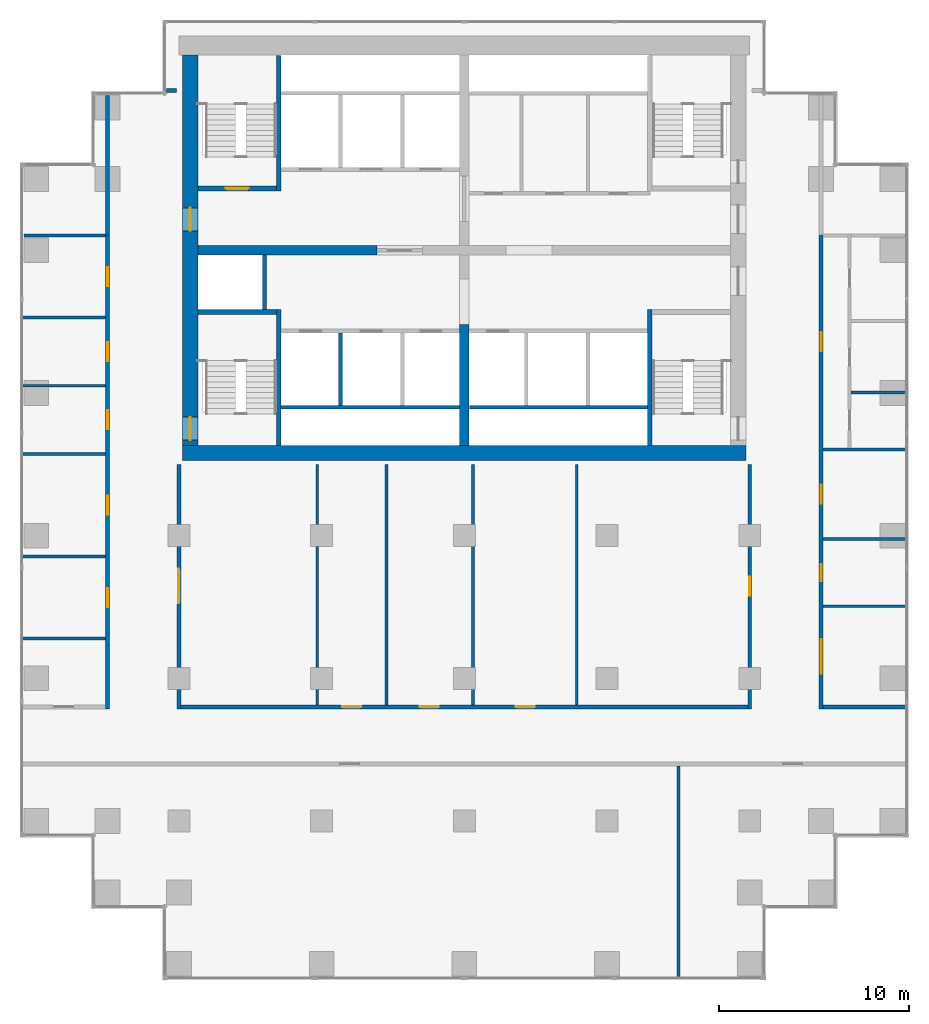
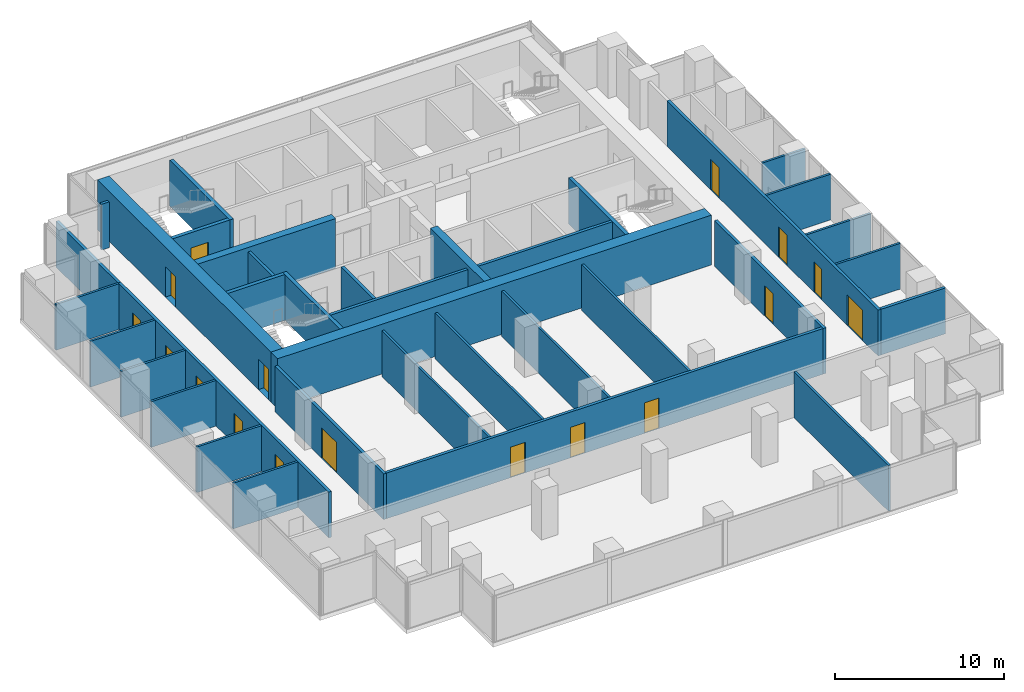
# One storey, part 7 of 10: 36 walls, 17 doors, 17 openings.
"""IFC4 building model written with IfcOpenShell, lengths in metres."""

from ifc_helpers import new_model, si_unit, direction, frame, frame_2d, origin, place, context, subcontext, project, spatial, rectangle, extrude, material, layer, layer_set, type_object, element, fill, save


model = new_model("IFC4")

# Units and contexts
model_context = context("Model", 3, precision=1e-05, world=origin(), true_north=direction((0.0, 1.0)))
body_context = subcontext(model_context, "Body", "Model", "MODEL_VIEW")
ifc_project = project(units=[si_unit("LENGTHUNIT", "METRE"), si_unit("AREAUNIT", "SQUARE_METRE"), si_unit("VOLUMEUNIT", "CUBIC_METRE"), si_unit("PLANEANGLEUNIT", "RADIAN"), si_unit("MASSUNIT", "GRAM", prefix="KILO")], contexts=[model_context])

# Site, building, storey
site_placement = place(None, origin())
site = spatial("IfcSite", under=ifc_project, at=site_placement, CompositionType="ELEMENT")
building_placement = place(site_placement, origin())
building = spatial("IfcBuilding", under=site, at=building_placement, Name="Pilkhan Gate Tower", CompositionType="ELEMENT")
storey_placement = place(building_placement, frame((0.0, 0.0, 132.39990234375)))
storey = spatial("IfcBuildingStorey", under=building, at=storey_placement, Name="L33", CompositionType="ELEMENT", Elevation=132.39990234375)

# Wall
ifc_material_1 = material(Name="Concrete C60/75", Category="concrete")
ifc_layer_1 = layer(ifc_material_1, 0.800048828125)
ifc_layer_set_1 = layer_set([ifc_layer_1], Name="Core wall CW800 C60/75")
wall_type_1 = type_object("IfcWallType", Name="Core wall CW800 C60/75", PredefinedType="SHEAR", material=ifc_layer_set_1)
wall_1_placement = place(storey_placement, frame((60.199951171875, 71.85009765625, 0.0), z_axis=(0.0, 0.0, 1.0), x_axis=(1.0, 0.0, 0.0)))
element("IfcWall", 1, at=wall_1_placement, inside=storey, type_object=wall_type_1, Name="Core wall S L33", PredefinedType="SHEAR", context=body_context, shape_type="SweptSolid", body=[
    extrude(rectangle(XDim=29.60009765625, YDim=0.800048828125, at=frame_2d((14.800048828125, 0.0))), origin(), (0.0, 0.0, 1.0), 3.60009765625),
])

# Wall, openings, doors
wall_2_placement = place(storey_placement, frame((60.60009765625, 92.75, 0.0), z_axis=(0.0, 0.0, 1.0), x_axis=(0.0, -1.0, 0.0)))
wall_2 = element("IfcWall", 2, at=wall_2_placement, inside=storey, type_object=wall_type_1, Name="Core wall W L33", PredefinedType="SHEAR", context=body_context, shape_type="SweptSolid", body=[
    extrude(rectangle(XDim=20.5, YDim=0.800048828125, at=frame_2d((10.25, 0.0))), origin(), (0.0, 0.0, 1.0), 3.60009765625),
])
opening_1_placement = place(wall_2_placement, frame((19.02490234375, 0.0, 0.0)))
opening_1 = element("IfcOpeningElement", 3, at=opening_1_placement, cuts=wall_2, Name="Opening L33-04", PredefinedType="OPENING", context=body_context, shape_type="SweptSolid", body=[
    extrude(rectangle(XDim=1.199951171875, YDim=2.199951171875, at=frame_2d((0.60009765625, 1.10009765625))), frame((0.0, 0.409912109375, 0.0), z_axis=(0.0, -1.0, 0.0), x_axis=(1.0, 0.0, 0.0)), (0.0, 0.0, 1.0), 0.820068359375),
])
opening_2_placement = place(wall_2_placement, frame((8.02490234375, 0.0, 0.0)))
opening_2 = element("IfcOpeningElement", 4, at=opening_2_placement, cuts=wall_2, Name="Opening L33-09", PredefinedType="OPENING", context=body_context, shape_type="SweptSolid", body=[
    extrude(rectangle(XDim=1.199951171875, YDim=2.199951171875, at=frame_2d((0.60009765625, 1.10009765625))), frame((0.0, 0.409912109375, 0.0), z_axis=(0.0, -1.0, 0.0), x_axis=(1.0, 0.0, 0.0)), (0.0, 0.0, 1.0), 0.820068359375),
])
ifc_material_2 = material(Name="Steel door, 120 minute fire resisting, self-closing", Category="steel")
door_type_1 = type_object("IfcDoorType", Name="Firefighting lobby door D10 1200x2200", OperationType="SINGLE_SWING_LEFT", PredefinedType="DOOR", material=ifc_material_2)
door_1_placement = place(opening_2_placement, origin())
door_1 = element("IfcDoor", 5, at=door_1_placement, inside=storey, type_object=door_type_1, Name="Core door", OperationType="SINGLE_SWING_LEFT", OverallHeight=2.199951171875, OverallWidth=1.199951171875, PredefinedType="DOOR", context=body_context, shape_type="SweptSolid", body=[
    extrude(rectangle(XDim=1.199951171875, YDim=2.199951171875, at=frame_2d((0.60009765625, 1.10009765625))), frame((0.0, 0.02490234375, 0.0), z_axis=(0.0, -1.0, 0.0), x_axis=(1.0, 0.0, 0.0)), (0.0, 0.0, 1.0), 0.050048828125),
])
fill(opening_2, door_1)
ifc_material_3 = material(Name="Steel door, 120 minute fire resisting, panic bar", Category="steel")
door_type_2 = type_object("IfcDoorType", Name="Stair door D11 1200x2200", OperationType="SINGLE_SWING_LEFT", PredefinedType="DOOR", material=ifc_material_3)
door_2_placement = place(opening_1_placement, origin())
door_2 = element("IfcDoor", 6, at=door_2_placement, inside=storey, type_object=door_type_2, Name="Stair ST2 door", OperationType="SINGLE_SWING_LEFT", OverallHeight=2.199951171875, OverallWidth=1.199951171875, PredefinedType="DOOR", context=body_context, shape_type="SweptSolid", body=[
    extrude(rectangle(XDim=1.199951171875, YDim=2.199951171875, at=frame_2d((0.60009765625, 1.10009765625))), frame((0.0, 0.02490234375, 0.0), z_axis=(0.0, -1.0, 0.0), x_axis=(1.0, 0.0, 0.0)), (0.0, 0.0, 1.0), 0.050048828125),
])
fill(opening_1, door_2)

ifc_material_4 = material(Name="Dense blockwork", Category="masonry")
ifc_layer_2 = layer(ifc_material_4, 0.199951171875)
ifc_layer_set_2 = layer_set([ifc_layer_2], Name="Corridor wall FW200")
wall_type_2 = type_object("IfcWallType", Name="Corridor wall FW200", PredefinedType="PARTITIONING", material=ifc_layer_set_2)
wall_3_placement = place(storey_placement, frame((60.10009765625, 58.5, 0.0), z_axis=(0.0, 0.0, 1.0), x_axis=(1.0, 0.0, 0.0)))
wall_3 = element("IfcWall", 7, at=wall_3_placement, inside=storey, type_object=wall_type_2, Name="Partition L33", PredefinedType="PARTITIONING", context=body_context, shape_type="SweptSolid", body=[
    extrude(rectangle(XDim=29.7998046875, YDim=0.199951171875, at=frame_2d((14.89990234375, 0.0))), origin(), (0.0, 0.0, 1.0), 3.300048828125),
])
opening_3_placement = place(wall_3_placement, frame((8.472900390625, 0.0, 0.0)))
opening_3 = element("IfcOpeningElement", 8, at=opening_3_placement, cuts=wall_3, Name="Opening L33-07", PredefinedType="OPENING", context=body_context, shape_type="SweptSolid", body=[
    extrude(rectangle(XDim=1.0, YDim=2.199951171875, at=frame_2d((0.5, 1.10009765625))), frame((0.0, 0.10986328125, 0.0), z_axis=(0.0, -1.0, 0.0), x_axis=(1.0, 0.0, 0.0)), (0.0, 0.0, 1.0), 0.219970703125),
])
opening_4_placement = place(wall_3_placement, frame((12.55908203125, 0.0, 0.0)))
opening_4 = element("IfcOpeningElement", 9, at=opening_4_placement, cuts=wall_3, Name="Opening L33-29", PredefinedType="OPENING", context=body_context, shape_type="SweptSolid", body=[
    extrude(rectangle(XDim=1.0, YDim=2.199951171875, at=frame_2d((0.5, 1.10009765625))), frame((0.0, 0.10986328125, 0.0), z_axis=(0.0, -1.0, 0.0), x_axis=(1.0, 0.0, 0.0)), (0.0, 0.0, 1.0), 0.219970703125),
])
opening_5_placement = place(wall_3_placement, frame((17.60498046875, 0.0, 0.0)))
opening_5 = element("IfcOpeningElement", 10, at=opening_5_placement, cuts=wall_3, Name="Opening L33-30", PredefinedType="OPENING", context=body_context, shape_type="SweptSolid", body=[
    extrude(rectangle(XDim=1.0, YDim=2.199951171875, at=frame_2d((0.5, 1.10009765625))), frame((0.0, 0.10986328125, 0.0), z_axis=(0.0, -1.0, 0.0), x_axis=(1.0, 0.0, 0.0)), (0.0, 0.0, 1.0), 0.219970703125),
])
ifc_material_5 = material(Name="Timber flush door, 30 minute fire resisting", Category="wood")
door_type_3 = type_object("IfcDoorType", Name="Room door D03 1000x2200", OperationType="SINGLE_SWING_LEFT", PredefinedType="DOOR", material=ifc_material_5)
door_3_placement = place(opening_3_placement, origin())
door_3 = element("IfcDoor", 11, at=door_3_placement, inside=storey, type_object=door_type_3, Name="Room door", OperationType="SINGLE_SWING_RIGHT", OverallHeight=2.199951171875, OverallWidth=1.0, PredefinedType="DOOR", context=body_context, shape_type="SweptSolid", body=[
    extrude(rectangle(XDim=1.0, YDim=2.199951171875, at=frame_2d((0.5, 1.10009765625))), frame((0.0, 0.02490234375, 0.0), z_axis=(0.0, -1.0, 0.0), x_axis=(1.0, 0.0, 0.0)), (0.0, 0.0, 1.0), 0.050048828125),
])
fill(opening_3, door_3)
door_4_placement = place(opening_4_placement, origin())
door_4 = element("IfcDoor", 12, at=door_4_placement, inside=storey, type_object=door_type_3, Name="Room door", OperationType="SINGLE_SWING_RIGHT", OverallHeight=2.199951171875, OverallWidth=1.0, PredefinedType="DOOR", context=body_context, shape_type="SweptSolid", body=[
    extrude(rectangle(XDim=1.0, YDim=2.199951171875, at=frame_2d((0.5, 1.10009765625))), frame((0.0, 0.02490234375, 0.0), z_axis=(0.0, -1.0, 0.0), x_axis=(1.0, 0.0, 0.0)), (0.0, 0.0, 1.0), 0.050048828125),
])
fill(opening_4, door_4)
door_5_placement = place(opening_5_placement, origin())
door_5 = element("IfcDoor", 13, at=door_5_placement, inside=storey, type_object=door_type_3, Name="Room door", OperationType="SINGLE_SWING_LEFT", OverallHeight=2.199951171875, OverallWidth=1.0, PredefinedType="DOOR", context=body_context, shape_type="SweptSolid", body=[
    extrude(rectangle(XDim=1.0, YDim=2.199951171875, at=frame_2d((0.5, 1.10009765625))), frame((0.0, 0.02490234375, 0.0), z_axis=(0.0, -1.0, 0.0), x_axis=(1.0, 0.0, 0.0)), (0.0, 0.0, 1.0), 0.050048828125),
])
fill(opening_5, door_5)

# Walls
wall_4_placement = place(storey_placement, frame((93.85009765625, 58.5, 0.0), z_axis=(0.0, 0.0, 1.0), x_axis=(1.0, 0.0, 0.0)))
element("IfcWall", 14, at=wall_4_placement, inside=storey, type_object=wall_type_2, Name="Partition L33", PredefinedType="PARTITIONING", context=body_context, shape_type="SweptSolid", body=[
    extrude(rectangle(XDim=4.414794921875, YDim=0.199951171875, at=frame_2d((2.20751953125, 0.0))), origin(), (0.0, 0.0, 1.0), 3.300048828125),
])
wall_5_placement = place(storey_placement, frame((59.35498046875, 90.89990234375, 0.0), z_axis=(0.0, 0.0, 1.0), x_axis=(1.0, 0.0, 0.0)))
element("IfcWall", 15, at=wall_5_placement, inside=storey, type_object=wall_type_2, Name="Partition L33", PredefinedType="PARTITIONING", context=body_context, shape_type="SweptSolid", body=[
    extrude(rectangle(XDim=0.52490234375, YDim=0.199951171875, at=frame_2d((0.262451171875, 0.0))), origin(), (0.0, 0.0, 1.0), 3.300048828125),
])

# Wall, openings, doors
wall_6_placement = place(storey_placement, frame((56.25, 58.39990234375, 0.0), z_axis=(0.0, 0.0, 1.0), x_axis=(0.0, 1.0, 0.0)))
wall_6 = element("IfcWall", 16, at=wall_6_placement, inside=storey, type_object=wall_type_2, Name="Partition L33", PredefinedType="PARTITIONING", context=body_context, shape_type="SweptSolid", body=[
    extrude(rectangle(XDim=24.955078125, YDim=0.199951171875, at=frame_2d((12.4775390625, 0.0))), origin(), (0.0, 0.0, 1.0), 3.300048828125),
])
opening_6_placement = place(wall_6_placement, frame((5.341064453125, 0.0, 0.0)))
opening_6 = element("IfcOpeningElement", 17, at=opening_6_placement, cuts=wall_6, Name="Opening L33-17", PredefinedType="OPENING", context=body_context, shape_type="SweptSolid", body=[
    extrude(rectangle(XDim=1.0, YDim=2.199951171875, at=frame_2d((0.5, 1.10009765625))), frame((0.0, 0.10986328125, 0.0), z_axis=(0.0, -1.0, 0.0), x_axis=(1.0, 0.0, 0.0)), (0.0, 0.0, 1.0), 0.219970703125),
])
opening_7_placement = place(wall_6_placement, frame((10.200927734375, 0.0, 0.0)))
opening_7 = element("IfcOpeningElement", 18, at=opening_7_placement, cuts=wall_6, Name="Opening L33-18", PredefinedType="OPENING", context=body_context, shape_type="SweptSolid", body=[
    extrude(rectangle(XDim=1.0, YDim=2.199951171875, at=frame_2d((0.5, 1.10009765625))), frame((0.0, 0.10986328125, 0.0), z_axis=(0.0, -1.0, 0.0), x_axis=(1.0, 0.0, 0.0)), (0.0, 0.0, 1.0), 0.219970703125),
])
opening_8_placement = place(wall_6_placement, frame((14.68798828125, 0.0, 0.0)))
opening_8 = element("IfcOpeningElement", 19, at=opening_8_placement, cuts=wall_6, Name="Opening L33-19", PredefinedType="OPENING", context=body_context, shape_type="SweptSolid", body=[
    extrude(rectangle(XDim=1.0, YDim=2.199951171875, at=frame_2d((0.5, 1.10009765625))), frame((0.0, 0.10986328125, 0.0), z_axis=(0.0, -1.0, 0.0), x_axis=(1.0, 0.0, 0.0)), (0.0, 0.0, 1.0), 0.219970703125),
])
opening_9_placement = place(wall_6_placement, frame((18.279052734375, 0.0, 0.0)))
opening_9 = element("IfcOpeningElement", 20, at=opening_9_placement, cuts=wall_6, Name="Opening L33-20", PredefinedType="OPENING", context=body_context, shape_type="SweptSolid", body=[
    extrude(rectangle(XDim=1.0, YDim=2.199951171875, at=frame_2d((0.5, 1.10009765625))), frame((0.0, 0.10986328125, 0.0), z_axis=(0.0, -1.0, 0.0), x_axis=(1.0, 0.0, 0.0)), (0.0, 0.0, 1.0), 0.219970703125),
])
opening_10_placement = place(wall_6_placement, frame((22.219970703125, 0.0, 0.0)))
opening_10 = element("IfcOpeningElement", 21, at=opening_10_placement, cuts=wall_6, Name="Opening L33-21", PredefinedType="OPENING", context=body_context, shape_type="SweptSolid", body=[
    extrude(rectangle(XDim=1.0, YDim=2.199951171875, at=frame_2d((0.5, 1.10009765625))), frame((0.0, 0.10986328125, 0.0), z_axis=(0.0, -1.0, 0.0), x_axis=(1.0, 0.0, 0.0)), (0.0, 0.0, 1.0), 0.219970703125),
])
door_6_placement = place(opening_6_placement, origin())
door_6 = element("IfcDoor", 22, at=door_6_placement, inside=storey, type_object=door_type_3, Name="Room door", OperationType="SINGLE_SWING_LEFT", OverallHeight=2.199951171875, OverallWidth=1.0, PredefinedType="DOOR", context=body_context, shape_type="SweptSolid", body=[
    extrude(rectangle(XDim=1.0, YDim=2.199951171875, at=frame_2d((0.5, 1.10009765625))), frame((0.0, 0.02490234375, 0.0), z_axis=(0.0, -1.0, 0.0), x_axis=(1.0, 0.0, 0.0)), (0.0, 0.0, 1.0), 0.050048828125),
])
fill(opening_6, door_6)
door_7_placement = place(opening_7_placement, origin())
door_7 = element("IfcDoor", 23, at=door_7_placement, inside=storey, type_object=door_type_3, Name="Room door", OperationType="SINGLE_SWING_RIGHT", OverallHeight=2.199951171875, OverallWidth=1.0, PredefinedType="DOOR", context=body_context, shape_type="SweptSolid", body=[
    extrude(rectangle(XDim=1.0, YDim=2.199951171875, at=frame_2d((0.5, 1.10009765625))), frame((0.0, 0.02490234375, 0.0), z_axis=(0.0, -1.0, 0.0), x_axis=(1.0, 0.0, 0.0)), (0.0, 0.0, 1.0), 0.050048828125),
])
fill(opening_7, door_7)
door_8_placement = place(opening_8_placement, origin())
door_8 = element("IfcDoor", 24, at=door_8_placement, inside=storey, type_object=door_type_3, Name="Room door", OperationType="SINGLE_SWING_RIGHT", OverallHeight=2.199951171875, OverallWidth=1.0, PredefinedType="DOOR", context=body_context, shape_type="SweptSolid", body=[
    extrude(rectangle(XDim=1.0, YDim=2.199951171875, at=frame_2d((0.5, 1.10009765625))), frame((0.0, 0.02490234375, 0.0), z_axis=(0.0, -1.0, 0.0), x_axis=(1.0, 0.0, 0.0)), (0.0, 0.0, 1.0), 0.050048828125),
])
fill(opening_8, door_8)
door_9_placement = place(opening_9_placement, origin())
door_9 = element("IfcDoor", 25, at=door_9_placement, inside=storey, type_object=door_type_3, Name="Room door", OperationType="SINGLE_SWING_LEFT", OverallHeight=2.199951171875, OverallWidth=1.0, PredefinedType="DOOR", context=body_context, shape_type="SweptSolid", body=[
    extrude(rectangle(XDim=1.0, YDim=2.199951171875, at=frame_2d((0.5, 1.10009765625))), frame((0.0, 0.02490234375, 0.0), z_axis=(0.0, -1.0, 0.0), x_axis=(1.0, 0.0, 0.0)), (0.0, 0.0, 1.0), 0.050048828125),
])
fill(opening_9, door_9)
door_10_placement = place(opening_10_placement, origin())
door_10 = element("IfcDoor", 26, at=door_10_placement, inside=storey, type_object=door_type_3, Name="Room door", OperationType="SINGLE_SWING_LEFT", OverallHeight=2.199951171875, OverallWidth=1.0, PredefinedType="DOOR", context=body_context, shape_type="SweptSolid", body=[
    extrude(rectangle(XDim=1.0, YDim=2.199951171875, at=frame_2d((0.5, 1.10009765625))), frame((0.0, 0.02490234375, 0.0), z_axis=(0.0, -1.0, 0.0), x_axis=(1.0, 0.0, 0.0)), (0.0, 0.0, 1.0), 0.050048828125),
])
fill(opening_10, door_10)

# Wall
wall_7_placement = place(storey_placement, frame((56.25, 83.31005859375, 0.0), z_axis=(0.0, 0.0, 1.0), x_axis=(0.0, 1.0, 0.0)))
element("IfcWall", 27, at=wall_7_placement, inside=storey, type_object=wall_type_2, Name="Partition L33", PredefinedType="PARTITIONING", context=body_context, shape_type="SweptSolid", body=[
    extrude(rectangle(XDim=7.3349609375, YDim=0.199951171875, at=frame_2d((3.66748046875, 0.0))), origin(), (0.0, 0.0, 1.0), 3.300048828125),
])

# Wall, opening, door
wall_8_placement = place(storey_placement, frame((60.0, 58.39990234375, 0.0), z_axis=(0.0, 0.0, 1.0), x_axis=(0.0, 1.0, 0.0)))
wall_8 = element("IfcWall", 28, at=wall_8_placement, inside=storey, type_object=wall_type_2, Name="Partition L33", PredefinedType="PARTITIONING", context=body_context, shape_type="SweptSolid", body=[
    extrude(rectangle(XDim=12.85009765625, YDim=0.199951171875, at=frame_2d((6.425048828125, 0.0))), origin(), (0.0, 0.0, 1.0), 3.300048828125),
])
opening_11_placement = place(wall_8_placement, frame((5.550048828125, 0.0, 0.0)))
opening_11 = element("IfcOpeningElement", 29, at=opening_11_placement, cuts=wall_8, Name="Opening L33-28", PredefinedType="OPENING", context=body_context, shape_type="SweptSolid", body=[
    extrude(rectangle(XDim=1.800048828125, YDim=2.199951171875, at=frame_2d((0.89990234375, 1.10009765625))), frame((0.0, 0.10986328125, 0.0), z_axis=(0.0, -1.0, 0.0), x_axis=(1.0, 0.0, 0.0)), (0.0, 0.0, 1.0), 0.219970703125),
])
ifc_material_6 = material(Name="Timber glazed double door, 30 minute fire resisting", Category="wood")
door_type_4 = type_object("IfcDoorType", Name="Double door D04 1800x2200", OperationType="DOUBLE_DOOR_SINGLE_SWING", PredefinedType="DOOR", material=ifc_material_6)
door_11_placement = place(opening_11_placement, origin())
door_11 = element("IfcDoor", 30, at=door_11_placement, inside=storey, type_object=door_type_4, Name="Double door", OperationType="DOUBLE_DOOR_SINGLE_SWING", OverallHeight=2.199951171875, OverallWidth=1.800048828125, PredefinedType="DOOR", context=body_context, shape_type="SweptSolid", body=[
    extrude(rectangle(XDim=1.800048828125, YDim=2.199951171875, at=frame_2d((0.89990234375, 1.10009765625))), frame((0.0, 0.02490234375, 0.0), z_axis=(0.0, -1.0, 0.0), x_axis=(1.0, 0.0, 0.0)), (0.0, 0.0, 1.0), 0.050048828125),
])
fill(opening_11, door_11)

wall_9_placement = place(storey_placement, frame((90.0, 58.39990234375, 0.0), z_axis=(0.0, 0.0, 1.0), x_axis=(0.0, 1.0, 0.0)))
wall_9 = element("IfcWall", 31, at=wall_9_placement, inside=storey, type_object=wall_type_2, Name="Partition L33", PredefinedType="PARTITIONING", context=body_context, shape_type="SweptSolid", body=[
    extrude(rectangle(XDim=12.85009765625, YDim=0.199951171875, at=frame_2d((6.425048828125, 0.0))), origin(), (0.0, 0.0, 1.0), 3.300048828125),
])
opening_12_placement = place(wall_9_placement, frame((5.949951171875, 0.0, 0.0)))
opening_12 = element("IfcOpeningElement", 32, at=opening_12_placement, cuts=wall_9, Name="Opening L33-31", PredefinedType="OPENING", context=body_context, shape_type="SweptSolid", body=[
    extrude(rectangle(XDim=1.0, YDim=2.199951171875, at=frame_2d((0.5, 1.10009765625))), frame((0.0, 0.10986328125, 0.0), z_axis=(0.0, -1.0, 0.0), x_axis=(1.0, 0.0, 0.0)), (0.0, 0.0, 1.0), 0.219970703125),
])
door_12_placement = place(opening_12_placement, origin())
door_12 = element("IfcDoor", 33, at=door_12_placement, inside=storey, type_object=door_type_3, Name="Room door", OperationType="SINGLE_SWING_RIGHT", OverallHeight=2.199951171875, OverallWidth=1.0, PredefinedType="DOOR", context=body_context, shape_type="SweptSolid", body=[
    extrude(rectangle(XDim=1.0, YDim=2.199951171875, at=frame_2d((0.5, 1.10009765625))), frame((0.0, 0.02490234375, 0.0), z_axis=(0.0, -1.0, 0.0), x_axis=(1.0, 0.0, 0.0)), (0.0, 0.0, 1.0), 0.050048828125),
])
fill(opening_12, door_12)

# Wall, openings, doors
wall_10_placement = place(storey_placement, frame((93.75, 58.39990234375, 0.0), z_axis=(0.0, 0.0, 1.0), x_axis=(0.0, 1.0, 0.0)))
wall_10 = element("IfcWall", 34, at=wall_10_placement, inside=storey, type_object=wall_type_2, Name="Partition L33", PredefinedType="PARTITIONING", context=body_context, shape_type="SweptSolid", body=[
    extrude(rectangle(XDim=24.955078125, YDim=0.199951171875, at=frame_2d((12.4775390625, 0.0))), origin(), (0.0, 0.0, 1.0), 3.300048828125),
])
opening_13_placement = place(wall_10_placement, frame((18.780029296875, 0.0, 0.0)))
opening_13 = element("IfcOpeningElement", 35, at=opening_13_placement, cuts=wall_10, Name="Opening L33-06", PredefinedType="OPENING", context=body_context, shape_type="SweptSolid", body=[
    extrude(rectangle(XDim=1.0, YDim=2.199951171875, at=frame_2d((0.5, 1.10009765625))), frame((0.0, 0.10986328125, 0.0), z_axis=(0.0, -1.0, 0.0), x_axis=(1.0, 0.0, 0.0)), (0.0, 0.0, 1.0), 0.219970703125),
])
opening_14_placement = place(wall_10_placement, frame((1.85009765625, 0.0, 0.0)))
opening_14 = element("IfcOpeningElement", 36, at=opening_14_placement, cuts=wall_10, Name="Opening L33-25", PredefinedType="OPENING", context=body_context, shape_type="SweptSolid", body=[
    extrude(rectangle(XDim=1.800048828125, YDim=2.199951171875, at=frame_2d((0.89990234375, 1.10009765625))), frame((0.0, 0.10986328125, 0.0), z_axis=(0.0, -1.0, 0.0), x_axis=(1.0, 0.0, 0.0)), (0.0, 0.0, 1.0), 0.219970703125),
])
opening_15_placement = place(wall_10_placement, frame((6.694091796875, 0.0, 0.0)))
opening_15 = element("IfcOpeningElement", 37, at=opening_15_placement, cuts=wall_10, Name="Opening L33-26", PredefinedType="OPENING", context=body_context, shape_type="SweptSolid", body=[
    extrude(rectangle(XDim=0.89990234375, YDim=2.199951171875, at=frame_2d((0.449951171875, 1.10009765625))), frame((0.0, 0.10986328125, 0.0), z_axis=(0.0, -1.0, 0.0), x_axis=(1.0, 0.0, 0.0)), (0.0, 0.0, 1.0), 0.219970703125),
])
opening_16_placement = place(wall_10_placement, frame((10.77392578125, 0.0, 0.0)))
opening_16 = element("IfcOpeningElement", 38, at=opening_16_placement, cuts=wall_10, Name="Opening L33-27", PredefinedType="OPENING", context=body_context, shape_type="SweptSolid", body=[
    extrude(rectangle(XDim=1.0, YDim=2.199951171875, at=frame_2d((0.5, 1.10009765625))), frame((0.0, 0.10986328125, 0.0), z_axis=(0.0, -1.0, 0.0), x_axis=(1.0, 0.0, 0.0)), (0.0, 0.0, 1.0), 0.219970703125),
])
door_13_placement = place(opening_14_placement, origin())
door_13 = element("IfcDoor", 39, at=door_13_placement, inside=storey, type_object=door_type_4, Name="Double door", OperationType="DOUBLE_DOOR_SINGLE_SWING", OverallHeight=2.199951171875, OverallWidth=1.800048828125, PredefinedType="DOOR", context=body_context, shape_type="SweptSolid", body=[
    extrude(rectangle(XDim=1.800048828125, YDim=2.199951171875, at=frame_2d((0.89990234375, 1.10009765625))), frame((0.0, 0.02490234375, 0.0), z_axis=(0.0, -1.0, 0.0), x_axis=(1.0, 0.0, 0.0)), (0.0, 0.0, 1.0), 0.050048828125),
])
fill(opening_14, door_13)
door_14_placement = place(opening_13_placement, origin())
door_14 = element("IfcDoor", 40, at=door_14_placement, inside=storey, type_object=door_type_3, Name="Toilet lobby door", OperationType="SINGLE_SWING_LEFT", OverallHeight=2.199951171875, OverallWidth=1.0, PredefinedType="DOOR", context=body_context, shape_type="SweptSolid", body=[
    extrude(rectangle(XDim=1.0, YDim=2.199951171875, at=frame_2d((0.5, 1.10009765625))), frame((0.0, 0.02490234375, 0.0), z_axis=(0.0, -1.0, 0.0), x_axis=(1.0, 0.0, 0.0)), (0.0, 0.0, 1.0), 0.050048828125),
])
fill(opening_13, door_14)
door_15_placement = place(opening_16_placement, origin())
door_15 = element("IfcDoor", 41, at=door_15_placement, inside=storey, type_object=door_type_3, Name="Room door", OperationType="SINGLE_SWING_RIGHT", OverallHeight=2.199951171875, OverallWidth=1.0, PredefinedType="DOOR", context=body_context, shape_type="SweptSolid", body=[
    extrude(rectangle(XDim=1.0, YDim=2.199951171875, at=frame_2d((0.5, 1.10009765625))), frame((0.0, 0.02490234375, 0.0), z_axis=(0.0, -1.0, 0.0), x_axis=(1.0, 0.0, 0.0)), (0.0, 0.0, 1.0), 0.050048828125),
])
fill(opening_16, door_15)
ifc_material_7 = material(Name="Timber flush door, 60 minute fire resisting, self-closing", Category="wood")
door_type_5 = type_object("IfcDoorType", Name="Store door D05 900x2200", OperationType="SINGLE_SWING_LEFT", PredefinedType="DOOR", material=ifc_material_7)
door_16_placement = place(opening_15_placement, origin())
door_16 = element("IfcDoor", 42, at=door_16_placement, inside=storey, type_object=door_type_5, Name="Store door", OperationType="SINGLE_SWING_LEFT", OverallHeight=2.199951171875, OverallWidth=0.89990234375, PredefinedType="DOOR", context=body_context, shape_type="SweptSolid", body=[
    extrude(rectangle(XDim=0.89990234375, YDim=2.199951171875, at=frame_2d((0.449951171875, 1.10009765625))), frame((0.0, 0.02490234375, 0.0), z_axis=(0.0, -1.0, 0.0), x_axis=(1.0, 0.0, 0.0)), (0.0, 0.0, 1.0), 0.050048828125),
])
fill(opening_15, door_16)

# Walls
ifc_material_8 = material(Name="Blockwork partition, plastered both sides", Category="masonry")
ifc_layer_3 = layer(ifc_material_8, 0.14990234375)
ifc_layer_set_3 = layer_set([ifc_layer_3], Name="Partition PW150")
wall_type_3 = type_object("IfcWallType", Name="Partition PW150", PredefinedType="PARTITIONING", material=ifc_layer_set_3)
for number, where, z_axis, x_axis, name in (
    (43, (51.735107421875, 62.091064453125, 0.0), (0.0, 0.0, 1.0), (1.0, 0.0, 0.0), "Partition L33"),
    (44, (93.85009765625, 63.7939453125, 0.0), (0.0, 0.0, 1.0), (1.0, 0.0, 0.0), "Partition L33"),
    (45, (51.735107421875, 66.40087890625, 0.0), (0.0, 0.0, 1.0), (1.0, 0.0, 0.0), "Partition L33"),
    (46, (93.85009765625, 67.323974609375, 0.0), (0.0, 0.0, 1.0), (1.0, 0.0, 0.0), "Partition L33"),
    (47, (51.735107421875, 71.7880859375, 0.0), (0.0, 0.0, 1.0), (1.0, 0.0, 0.0), "Partition L33"),
    (48, (93.85009765625, 72.030029296875, 0.0), (0.0, 0.0, 1.0), (1.0, 0.0, 0.0), "Partition L33"),
):
    element("IfcWall", number, at=place(storey_placement, frame(where, z_axis=z_axis, x_axis=x_axis)), inside=storey, type_object=wall_type_3, Name=name, PredefinedType="PARTITIONING", context=body_context, shape_type="SweptSolid", body=[
        extrude(rectangle(XDim=4.414794921875, YDim=0.14990234375, at=frame_2d((2.20751953125, 0.0))), origin(), (0.0, 0.0, 1.0), 3.300048828125),
    ])
wall_11_placement = place(storey_placement, frame((95.324951171875, 75.030029296875, 0.0), z_axis=(0.0, 0.0, 1.0), x_axis=(1.0, 0.0, 0.0)))
element("IfcWall", 49, at=wall_11_placement, inside=storey, type_object=wall_type_3, Name="Partition L33", PredefinedType="PARTITIONING", context=body_context, shape_type="SweptSolid", body=[
    extrude(rectangle(XDim=2.93994140625, YDim=0.14990234375, at=frame_2d((1.469970703125, 0.0))), origin(), (0.0, 0.0, 1.0), 3.300048828125),
])
for number, where, z_axis, x_axis, name in (
    (50, (51.735107421875, 75.37890625, 0.0), (0.0, 0.0, 1.0), (1.0, 0.0, 0.0), "Partition L33"),
    (51, (51.735107421875, 78.969970703125, 0.0), (0.0, 0.0, 1.0), (1.0, 0.0, 0.0), "Partition L33"),
):
    element("IfcWall", number, at=place(storey_placement, frame(where, z_axis=z_axis, x_axis=x_axis)), inside=storey, type_object=wall_type_3, Name=name, PredefinedType="PARTITIONING", context=body_context, shape_type="SweptSolid", body=[
        extrude(rectangle(XDim=4.414794921875, YDim=0.14990234375, at=frame_2d((2.20751953125, 0.0))), origin(), (0.0, 0.0, 1.0), 3.300048828125),
    ])
wall_12_placement = place(storey_placement, frame((51.85498046875, 83.280029296875, 0.0), z_axis=(0.0, 0.0, 1.0), x_axis=(1.0, 0.0, 0.0)))
element("IfcWall", 52, at=wall_12_placement, inside=storey, type_object=wall_type_3, Name="Partition L33", PredefinedType="PARTITIONING", context=body_context, shape_type="SweptSolid", body=[
    extrude(rectangle(XDim=4.294921875, YDim=0.14990234375, at=frame_2d((2.1474609375, 0.0))), origin(), (0.0, 0.0, 1.0), 3.300048828125),
])
for number, where, z_axis, x_axis, name in (
    (53, (67.27294921875, 58.60009765625, 0.0), (0.0, 0.0, 1.0), (0.0, 1.0, 0.0), "Partition L33"),
    (54, (70.908935546875, 58.60009765625, 0.0), (0.0, 0.0, 1.0), (0.0, 1.0, 0.0), "Partition L33"),
    (55, (75.455078125, 58.60009765625, 0.0), (0.0, 0.0, 1.0), (0.0, 1.0, 0.0), "Partition L33"),
    (56, (80.908935546875, 58.60009765625, 0.0), (0.0, 0.0, 1.0), (0.0, 1.0, 0.0), "Partition L33"),
):
    element("IfcWall", number, at=place(storey_placement, frame(where, z_axis=z_axis, x_axis=x_axis)), inside=storey, type_object=wall_type_3, Name=name, PredefinedType="PARTITIONING", context=body_context, shape_type="SweptSolid", body=[
        extrude(rectangle(XDim=12.64990234375, YDim=0.14990234375, at=frame_2d((6.324951171875, 0.0))), origin(), (0.0, 0.0, 1.0), 3.300048828125),
    ])
wall_13_placement = place(storey_placement, frame((86.25, 44.235107421875, 0.0), z_axis=(0.0, 0.0, 1.0), x_axis=(0.0, 1.0, 0.0)))
element("IfcWall", 57, at=wall_13_placement, inside=storey, type_object=wall_type_3, Name="Partition L33", PredefinedType="PARTITIONING", context=body_context, shape_type="SweptSolid", body=[
    extrude(rectangle(XDim=11.164794921875, YDim=0.14990234375, at=frame_2d((5.58251953125, 0.0))), origin(), (0.0, 0.0, 1.0), 3.300048828125),
])
ifc_material_9 = material(Name="Reinforced blockwork shaft wall, 120 minute fire resisting", Category="masonry")
ifc_layer_4 = layer(ifc_material_9, 0.199951171875)
ifc_layer_set_4 = layer_set([ifc_layer_4], Name="Shaft wall SW200")
wall_type_4 = type_object("IfcWallType", Name="Shaft wall SW200", PredefinedType="PARTITIONING", material=ifc_layer_set_4)
for number, where, z_axis, x_axis, name in (
    (58, (65.375, 74.25, 0.0), (0.0, 0.0, 1.0), (1.0, 0.0, 0.0), "Partition L33"),
    (59, (75.260009765625, 74.25, 0.0), (0.0, 0.0, 1.0), (1.0, 0.0, 0.0), "Partition L33"),
):
    element("IfcWall", number, at=place(storey_placement, frame(where, z_axis=z_axis, x_axis=x_axis)), inside=storey, type_object=wall_type_4, Name=name, PredefinedType="PARTITIONING", context=body_context, shape_type="SweptSolid", body=[
        extrude(rectangle(XDim=9.364990234375, YDim=0.199951171875, at=frame_2d((4.6826171875, 0.0))), origin(), (0.0, 0.0, 1.0), 3.300048828125),
    ])
wall_14_placement = place(storey_placement, frame((64.5, 79.375, 0.0), z_axis=(0.0, 0.0, 1.0), x_axis=(0.0, 1.0, 0.0)))
element("IfcWall", 60, at=wall_14_placement, inside=storey, type_object=wall_type_4, Name="Partition L33", PredefinedType="PARTITIONING", context=body_context, shape_type="SweptSolid", body=[
    extrude(rectangle(XDim=2.864990234375, YDim=0.199951171875, at=frame_2d((1.4326171875, 0.0))), origin(), (0.0, 0.0, 1.0), 3.300048828125),
])
wall_15_placement = place(storey_placement, frame((68.5, 74.35009765625, 0.0), z_axis=(0.0, 0.0, 1.0), x_axis=(0.0, 1.0, 0.0)))
element("IfcWall", 61, at=wall_15_placement, inside=storey, type_object=wall_type_4, Name="Partition L33", PredefinedType="PARTITIONING", context=body_context, shape_type="SweptSolid", body=[
    extrude(rectangle(XDim=3.7998046875, YDim=0.199951171875, at=frame_2d((1.89990234375, 0.0))), origin(), (0.0, 0.0, 1.0), 3.300048828125),
])
ifc_layer_5 = layer(ifc_material_1, 0.5)
ifc_layer_set_5 = layer_set([ifc_layer_5], Name="Spine wall SW500 C60/75")
wall_type_5 = type_object("IfcWallType", Name="Spine wall SW500 C60/75", PredefinedType="SHEAR", material=ifc_layer_set_5)
wall_16_placement = place(storey_placement, frame((61.0, 82.5, 0.0), z_axis=(0.0, 0.0, 1.0), x_axis=(1.0, 0.0, 0.0)))
element("IfcWall", 62, at=wall_16_placement, inside=storey, type_object=wall_type_5, Name="Spine wall SP-EW1 L33", PredefinedType="SHEAR", context=body_context, shape_type="SweptSolid", body=[
    extrude(rectangle(XDim=9.39990234375, YDim=0.5, at=frame_2d((4.699951171875, 0.0))), origin(), (0.0, 0.0, 1.0), 3.60009765625),
])
wall_17_placement = place(storey_placement, frame((75.0, 72.25, 0.0), z_axis=(0.0, 0.0, 1.0), x_axis=(0.0, 1.0, 0.0)))
element("IfcWall", 63, at=wall_17_placement, inside=storey, type_object=wall_type_5, Name="Spine wall SP-NS-S1 L33", PredefinedType="SHEAR", context=body_context, shape_type="SweptSolid", body=[
    extrude(rectangle(XDim=6.35009765625, YDim=0.5, at=frame_2d((3.175048828125, 0.0))), origin(), (0.0, 0.0, 1.0), 3.60009765625),
])
ifc_material_10 = material(Name="Reinforced blockwork, 120 minute fire resisting", Category="masonry")
ifc_layer_6 = layer(ifc_material_10, 0.25)
ifc_layer_set_6 = layer_set([ifc_layer_6], Name="Stair enclosure wall SE250")
wall_type_6 = type_object("IfcWallType", Name="Stair enclosure wall SE250", PredefinedType="PARTITIONING", material=ifc_layer_set_6)
wall_18_placement = place(storey_placement, frame((61.010009765625, 79.25, 0.0), z_axis=(0.0, 0.0, 1.0), x_axis=(1.0, 0.0, 0.0)))
element("IfcWall", 64, at=wall_18_placement, inside=storey, type_object=wall_type_6, Name="Partition L33", PredefinedType="PARTITIONING", context=body_context, shape_type="SweptSolid", body=[
    extrude(rectangle(XDim=4.114990234375, YDim=0.25, at=frame_2d((2.0576171875, 0.0))), origin(), (0.0, 0.0, 1.0), 3.300048828125),
])

# Wall, opening, door
wall_19_placement = place(storey_placement, frame((61.010009765625, 85.75, 0.0), z_axis=(0.0, 0.0, 1.0), x_axis=(1.0, 0.0, 0.0)))
wall_19 = element("IfcWall", 65, at=wall_19_placement, inside=storey, type_object=wall_type_6, Name="Partition L33", PredefinedType="PARTITIONING", context=body_context, shape_type="SweptSolid", body=[
    extrude(rectangle(XDim=4.114990234375, YDim=0.25, at=frame_2d((2.0576171875, 0.0))), origin(), (0.0, 0.0, 1.0), 3.300048828125),
])
opening_17_placement = place(wall_19_placement, frame((1.449951171875, 0.0, 0.0)))
opening_17 = element("IfcOpeningElement", 66, at=opening_17_placement, cuts=wall_19, Name="Opening L33-02", PredefinedType="OPENING", context=body_context, shape_type="SweptSolid", body=[
    extrude(rectangle(XDim=1.199951171875, YDim=2.199951171875, at=frame_2d((0.60009765625, 1.10009765625))), frame((0.0, 0.135009765625, 0.0), z_axis=(0.0, -1.0, 0.0), x_axis=(1.0, 0.0, 0.0)), (0.0, 0.0, 1.0), 0.27001953125),
])
door_17_placement = place(opening_17_placement, origin())
door_17 = element("IfcDoor", 67, at=door_17_placement, inside=storey, type_object=door_type_2, Name="Stair ST3 lobby door", OperationType="SINGLE_SWING_LEFT", OverallHeight=2.199951171875, OverallWidth=1.199951171875, PredefinedType="DOOR", context=body_context, shape_type="SweptSolid", body=[
    extrude(rectangle(XDim=1.199951171875, YDim=2.199951171875, at=frame_2d((0.60009765625, 1.10009765625))), frame((0.0, 0.02490234375, 0.0), z_axis=(0.0, -1.0, 0.0), x_axis=(1.0, 0.0, 0.0)), (0.0, 0.0, 1.0), 0.050048828125),
])
fill(opening_17, door_17)

# Walls
wall_20_placement = place(storey_placement, frame((65.25, 72.25, 0.0), z_axis=(0.0, 0.0, 1.0), x_axis=(0.0, 1.0, 0.0)))
element("IfcWall", 68, at=wall_20_placement, inside=storey, type_object=wall_type_6, Name="Partition L33", PredefinedType="PARTITIONING", context=body_context, shape_type="SweptSolid", body=[
    extrude(rectangle(XDim=7.125, YDim=0.25, at=frame_2d((3.5625, 0.0))), origin(), (0.0, 0.0, 1.0), 3.300048828125),
])
wall_21_placement = place(storey_placement, frame((65.25, 85.625, 0.0), z_axis=(0.0, 0.0, 1.0), x_axis=(0.0, 1.0, 0.0)))
element("IfcWall", 69, at=wall_21_placement, inside=storey, type_object=wall_type_6, Name="Partition L33", PredefinedType="PARTITIONING", context=body_context, shape_type="SweptSolid", body=[
    extrude(rectangle(XDim=7.114990234375, YDim=0.25, at=frame_2d((3.5576171875, 0.0))), origin(), (0.0, 0.0, 1.0), 3.300048828125),
])
wall_22_placement = place(storey_placement, frame((84.75, 72.25, 0.0), z_axis=(0.0, 0.0, 1.0), x_axis=(0.0, 1.0, 0.0)))
element("IfcWall", 70, at=wall_22_placement, inside=storey, type_object=wall_type_6, Name="Partition L33", PredefinedType="PARTITIONING", context=body_context, shape_type="SweptSolid", body=[
    extrude(rectangle(XDim=7.125, YDim=0.25, at=frame_2d((3.5625, 0.0))), origin(), (0.0, 0.0, 1.0), 3.300048828125),
])

save(model, "model.ifc")
